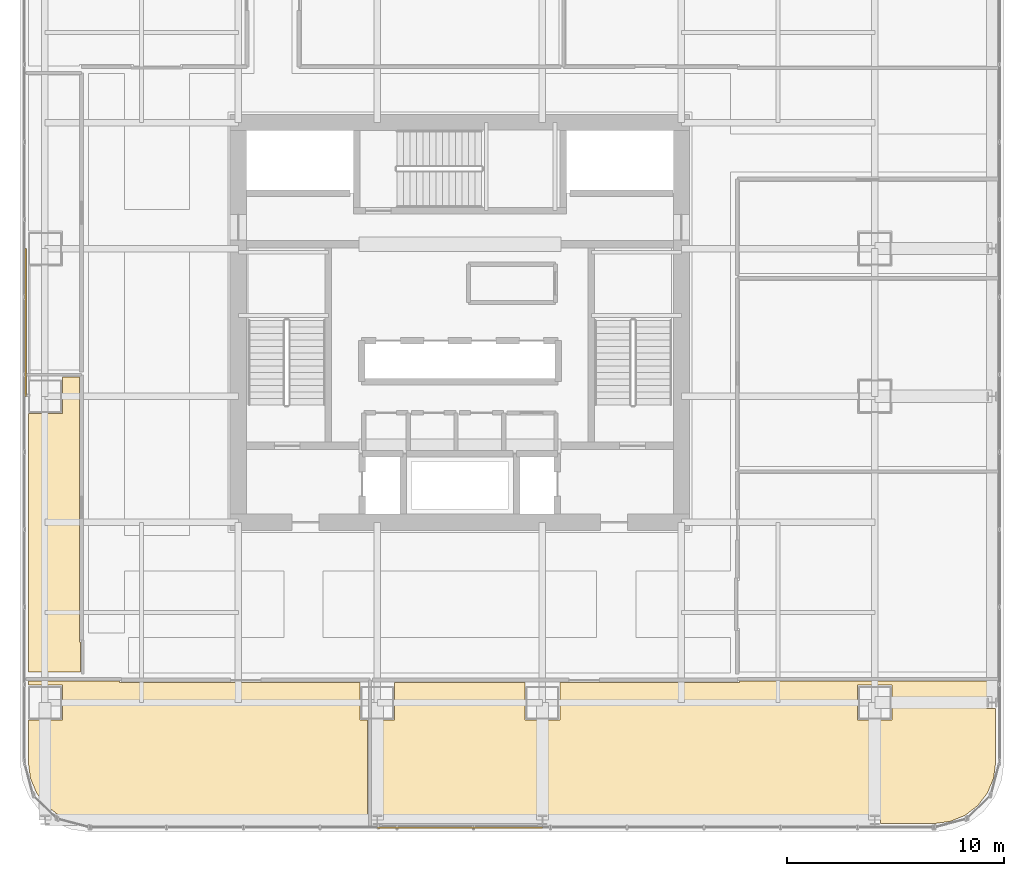
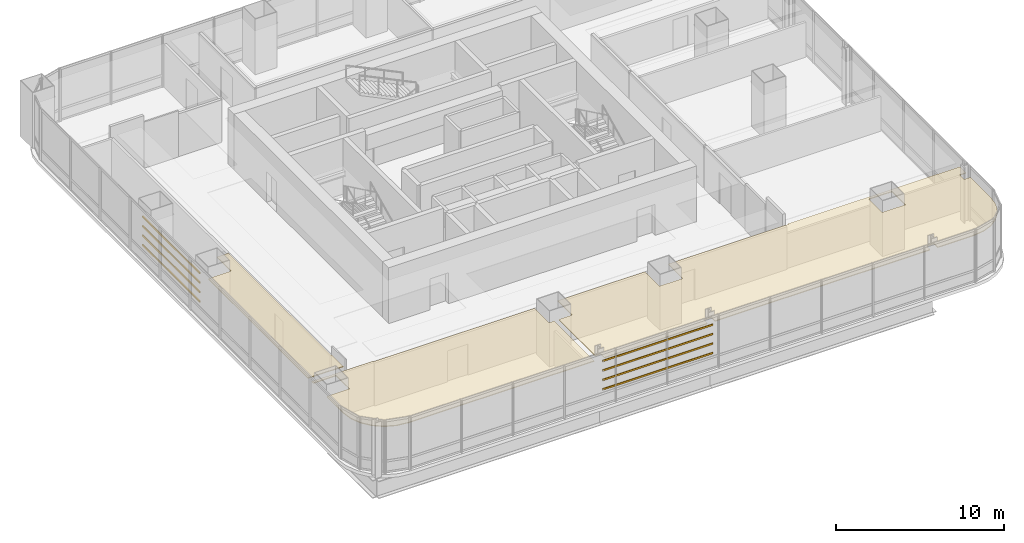
# One storey, part 31 of 35: 8 shading devices, 3 coverings.
"""IFC4 building model written with IfcOpenShell, lengths in metres."""

from ifc_helpers import new_model, si_unit, direction, frame, origin, origin_2d, place, context, subcontext, project, spatial, polyline, hollow_rectangle, outline, extrude, material, layer, layer_set, material_profile, profile_set, type_object, element, save


model = new_model("IFC4")

# Units and contexts
model_context = context("Model", 3, precision=1e-05, world=origin(), true_north=direction((0.0, 1.0)))
body_context = subcontext(model_context, "Body", "Model", "MODEL_VIEW")
ifc_project = project(units=[si_unit("LENGTHUNIT", "METRE"), si_unit("AREAUNIT", "SQUARE_METRE"), si_unit("VOLUMEUNIT", "CUBIC_METRE"), si_unit("PLANEANGLEUNIT", "RADIAN"), si_unit("MASSUNIT", "GRAM", prefix="KILO")], contexts=[model_context])

# Site, building, storey
site_placement = place(None, origin())
site = spatial("IfcSite", under=ifc_project, at=site_placement, CompositionType="ELEMENT")
building_placement = place(site_placement, origin())
building = spatial("IfcBuilding", under=site, at=building_placement, Name="Punatoya Terracotta Tower", CompositionType="ELEMENT")
storey_placement = place(building_placement, frame((0.0, 0.0, 72.75)))
storey = spatial("IfcBuildingStorey", under=building, at=storey_placement, Name="L16", CompositionType="ELEMENT", Elevation=72.75)

# Coverings
ifc_material_1 = material(Name="Acoustic Mineral Fibre Ceiling")
ifc_layer = layer(ifc_material_1, 0.06005859375)
ifc_layer_set = layer_set([ifc_layer], Name="Acoustic Mineral Fibre Ceiling")
covering_type = type_object("IfcCoveringType", Name="COV-CEIL-60", PredefinedType="CEILING", material=ifc_layer_set)
covering_1_placement = place(storey_placement, frame((0.0, 0.0, 3.199951171875)))
element("IfcCovering", 1, at=covering_1_placement, inside=storey, type_object=covering_type, Name="L16 Open-Plan Plenary Seminar Room Acoustic Ceiling", PredefinedType="CEILING", context=body_context, shape_type="SweptSolid", body=[
    extrude(outline(polyline([(-19.041748046875, -22.24169921875), (-18.458251953125, -22.689453125), (-17.779052734375, -22.970703125), (-17.025146484375, -23.070068359375), (-4.241943359375, -23.070068359375), (-4.241943359375, -18.300048828125), (-4.60009765625, -18.300048828125), (-4.60009765625, -16.570068359375), (-15.669921875, -16.570068359375), (-15.669921875, -16.510009765625), (-19.8701171875, -16.510009765625), (-19.8701171875, -16.699951171875), (-18.300048828125, -16.699951171875), (-18.300048828125, -18.300048828125), (-19.8701171875, -18.300048828125), (-19.8701171875, -20.22509765625), (-19.770751953125, -20.97900390625), (-19.489501953125, -21.658203125), (-19.041748046875, -22.24169921875)])), origin(), (0.0, 0.0, 1.0), 0.06005859375),
])
covering_2_placement = place(storey_placement, frame((0.0, 0.0, 3.199951171875)))
element("IfcCovering", 2, at=covering_2_placement, inside=storey, type_object=covering_type, Name="L16 Client Strategy Boardroom Acoustic Ceiling", PredefinedType="CEILING", context=body_context, shape_type="SweptSolid", body=[
    extrude(outline(polyline([(-3.0, -16.570068359375), (-3.0, -18.300048828125), (-3.922119140625, -18.300048828125), (-3.922119140625, -22.626953125), (-3.5419921875, -22.626953125), (-3.5419921875, -23.070068359375), (3.5419921875, -23.070068359375), (3.5419921875, -22.626953125), (4.05810546875, -22.626953125), (4.05810546875, -23.070068359375), (18.842041015625, -23.070068359375), (18.842041015625, -22.626953125), (19.35791015625, -22.626953125), (19.35791015625, -23.070068359375), (21.8251953125, -23.070068359375), (22.5791015625, -22.970703125), (23.25830078125, -22.689453125), (23.841796875, -22.24169921875), (24.289306640625, -21.658203125), (24.57080078125, -20.97900390625), (24.669921875, -20.22509765625), (24.669921875, -17.77294921875), (24.241943359375, -17.77294921875), (24.241943359375, -17.22705078125), (24.669921875, -17.22705078125), (24.669921875, -16.510009765625), (12.8701171875, -16.510009765625), (12.8701171875, -16.570068359375), (4.60009765625, -16.570068359375), (4.60009765625, -18.300048828125), (3.0, -18.300048828125), (3.0, -16.570068359375), (-3.0, -16.570068359375)]), holes=[polyline([(19.89990234375, -18.300048828125), (18.300048828125, -18.300048828125), (18.300048828125, -16.699951171875), (19.89990234375, -16.699951171875), (19.89990234375, -18.300048828125)])]), origin(), (0.0, 0.0, 1.0), 0.06005859375),
])
covering_3_placement = place(storey_placement, frame((0.0, 0.0, 3.199951171875)))
element("IfcCovering", 3, at=covering_3_placement, inside=storey, type_object=covering_type, Name="L16 Open-Plan Executive Briefing Room Acoustic Ceiling", PredefinedType="CEILING", context=body_context, shape_type="SweptSolid", body=[
    extrude(outline(polyline([(-18.300048828125, -2.510009765625), (-18.300048828125, -4.199951171875), (-19.8701171875, -4.199951171875), (-19.8701171875, -16.090087890625), (-17.4599609375, -16.090087890625), (-17.4599609375, -14.719970703125), (-17.52001953125, -14.719970703125), (-17.52001953125, -2.510009765625), (-18.300048828125, -2.510009765625)])), origin(), (0.0, 0.0, 1.0), 0.06005859375),
])

# Shading devices
ifc_material_2 = material(Name="Architectural Fired Terracotta", Category="masonry")
ifc_material_profile = material_profile(ifc_material_2, hollow_rectangle(XDim=0.06494140625, YDim=0.1201171875, WallThickness=0.014892578125, at=origin_2d()))
ifc_profile_set = profile_set([ifc_material_profile], Name="Architectural Fired Terracotta")
shading_device_type = type_object("IfcShadingDeviceType", Name="SHD-BAG-120", PredefinedType="USERDEFINED", material=ifc_profile_set)
for number, where, z_axis, x_axis, name in (
    (4, (-3.800048828125, -23.262939453125, 1.14990234375), (1.0, 0.0, 0.0), (0.0, 1.0, 0.0), "L16 Fired Terracotta Baguette Louvre BAG-L16-S-01"),
    (5, (-3.800048828125, -23.262939453125, 1.836669921875), (1.0, 0.0, 0.0), (0.0, 1.0, 0.0), "L16 Fired Terracotta Baguette Louvre BAG-L16-S-02"),
    (6, (-3.800048828125, -23.262939453125, 2.523193359375), (1.0, 0.0, 0.0), (0.0, 1.0, 0.0), "L16 Fired Terracotta Baguette Louvre BAG-L16-S-03"),
    (7, (-3.800048828125, -23.262939453125, 3.2099609375), (1.0, 0.0, 0.0), (0.0, 1.0, 0.0), "L16 Fired Terracotta Baguette Louvre BAG-L16-S-04"),
):
    element("IfcShadingDevice", number, at=place(storey_placement, frame(where, z_axis=z_axis, x_axis=x_axis)), inside=storey, type_object=shading_device_type, Name=name, ObjectType="BAGUETTE", PredefinedType="USERDEFINED", context=body_context, shape_type="SweptSolid", body=[
        extrude(hollow_rectangle(XDim=0.06494140625, YDim=0.1201171875, WallThickness=0.014892578125, at=origin_2d()), origin(), (0.0, 0.0, 1.0), 7.60009765625),
    ])
for number, where, z_axis, x_axis, name in (
    (8, (-19.989990234375, -3.39990234375, 1.14990234375), (0.0, 1.0, 0.0), (-1.0, 0.0, 0.0), "L16 Fired Terracotta Baguette Louvre BAG-L16-W-01"),
    (9, (-19.989990234375, -3.39990234375, 1.836669921875), (0.0, 1.0, 0.0), (-1.0, 0.0, 0.0), "L16 Fired Terracotta Baguette Louvre BAG-L16-W-02"),
    (10, (-19.989990234375, -3.39990234375, 2.523193359375), (0.0, 1.0, 0.0), (-1.0, 0.0, 0.0), "L16 Fired Terracotta Baguette Louvre BAG-L16-W-03"),
    (11, (-19.989990234375, -3.39990234375, 3.2099609375), (0.0, 1.0, 0.0), (-1.0, 0.0, 0.0), "L16 Fired Terracotta Baguette Louvre BAG-L16-W-04"),
):
    element("IfcShadingDevice", number, at=place(storey_placement, frame(where, z_axis=z_axis, x_axis=x_axis)), inside=storey, type_object=shading_device_type, Name=name, ObjectType="BAGUETTE", PredefinedType="USERDEFINED", context=body_context, shape_type="SweptSolid", body=[
        extrude(hollow_rectangle(XDim=0.06494140625, YDim=0.1201171875, WallThickness=0.014892578125, at=origin_2d()), origin(), (0.0, 0.0, 1.0), 6.7998046875),
    ])

save(model, "model.ifc")
